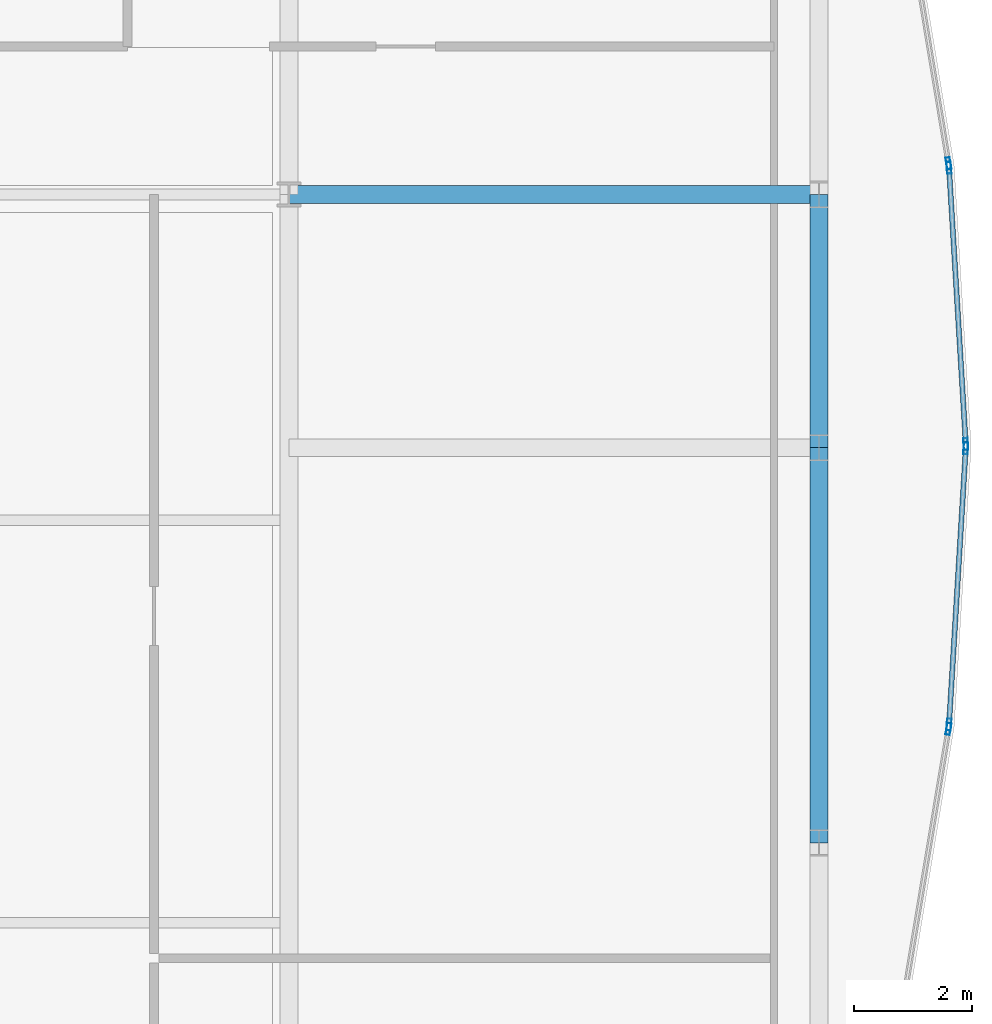
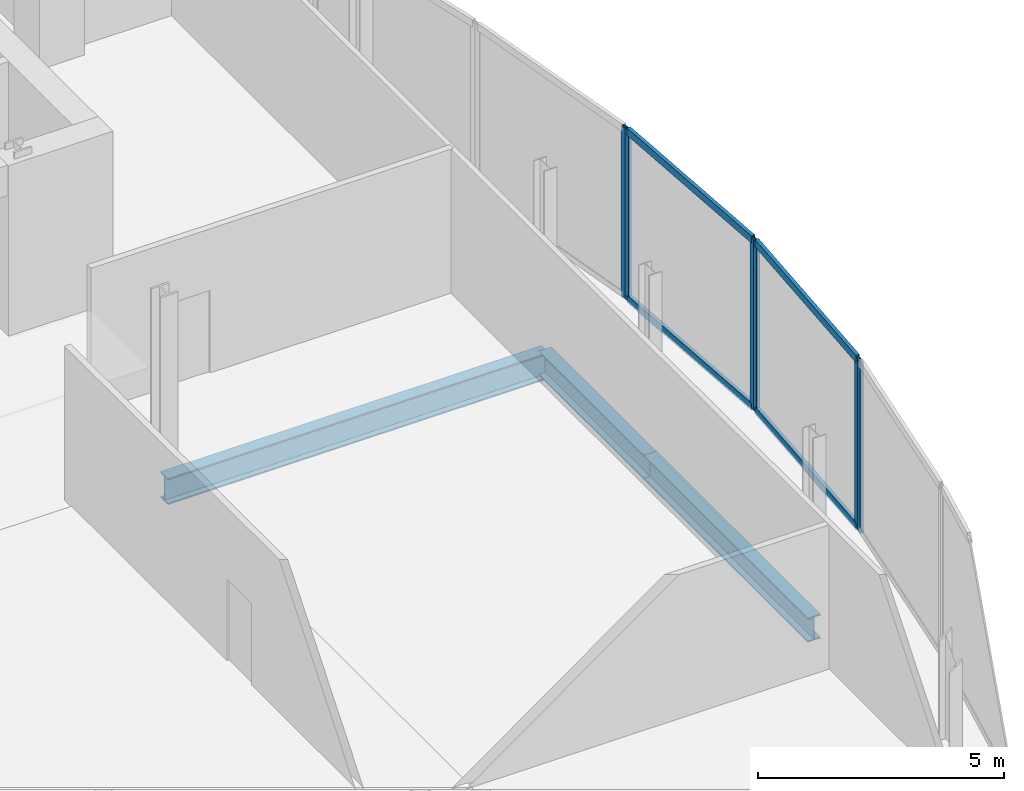
# One storey, part 18 of 28: 10 members, 3 beams, 4 elements without a shape of their own.
"""IFC4 building model written with IfcOpenShell, lengths in metres."""

from ifc_helpers import new_model, si_unit, direction, frame, origin, origin_2d, place, context, subcontext, project, spatial, hollow_rectangle, i_section, extrude, material, material_profile, profile_set, type_object, element, aggregate, save


model = new_model("IFC4")

# Units and contexts
model_context = context("Model", 3, precision=1e-05, world=origin(), true_north=direction((0.0, 1.0)))
body_context = subcontext(model_context, "Body", "Model", "MODEL_VIEW")
ifc_project = project(units=[si_unit("LENGTHUNIT", "METRE"), si_unit("AREAUNIT", "SQUARE_METRE"), si_unit("VOLUMEUNIT", "CUBIC_METRE"), si_unit("PLANEANGLEUNIT", "RADIAN"), si_unit("MASSUNIT", "GRAM", prefix="KILO")], contexts=[model_context])

# Site, building, storey
site_placement = place(None, origin())
site = spatial("IfcSite", under=ifc_project, at=site_placement, CompositionType="ELEMENT")
building_placement = place(site_placement, origin())
building = spatial("IfcBuilding", under=site, at=building_placement, Name="Khoronbel Lancet Exchange", CompositionType="ELEMENT")
storey_placement = place(building_placement, frame((0.0, 0.0, 265.39990234375)))
storey = spatial("IfcBuildingStorey", under=building, at=storey_placement, Name="L68", CompositionType="ELEMENT", Elevation=265.39990234375)

# Beams
ifc_material_1 = material(Name="Steel S355", Category="steel")
ifc_material_profile_1 = material_profile(ifc_material_1, i_section(OverallWidth=0.300048828125, OverallDepth=0.64990234375, WebThickness=0.01611328125, FlangeThickness=0.031005859375, at=origin_2d()), Name="HEB 650")
ifc_profile_set_1 = profile_set([ifc_material_profile_1], Name="Steel S355")
beam_type_1 = type_object("IfcBeamType", Name="BM-BG4", PredefinedType="BEAM", material=ifc_profile_set_1)
beam_1_placement = place(storey_placement, frame((54.675048828125, 35.699951171875, -0.52490234375), z_axis=(1.0, 0.0, 0.0), x_axis=(0.0, 1.0, 0.0)))
element("IfcBeam", 1, at=beam_1_placement, inside=storey, type_object=beam_type_1, Name="Level L68 east lens tie girder LG4E", PredefinedType="BEAM", context=body_context, shape_type="SweptSolid", body=[
    extrude(i_section(OverallWidth=0.300048828125, OverallDepth=0.64990234375, WebThickness=0.01611328125, FlangeThickness=0.031005859375, at=origin_2d()), origin(), (0.0, 0.0, 1.0), 8.954833984375),
])
ifc_material_profile_2 = material_profile(ifc_material_1, i_section(OverallWidth=0.300048828125, OverallDepth=0.60009765625, WebThickness=0.015380859375, FlangeThickness=0.030029296875, at=origin_2d()), Name="HEB 600")
ifc_profile_set_2 = profile_set([ifc_material_profile_2], Name="Steel S355")
beam_type_2 = type_object("IfcBeamType", Name="BM-BSP2", PredefinedType="SPANDREL", material=ifc_profile_set_2)
beam_2_placement = place(storey_placement, frame((63.6298828125, 24.75, -0.5), z_axis=(0.0, 1.0, 0.0), x_axis=(-1.0, 0.0, 0.0)))
element("IfcBeam", 2, at=beam_2_placement, inside=storey, type_object=beam_type_2, Name="Level L68 perimeter spandrel beam SP12", PredefinedType="SPANDREL", context=body_context, shape_type="SweptSolid", body=[
    extrude(i_section(OverallWidth=0.300048828125, OverallDepth=0.60009765625, WebThickness=0.015380859375, FlangeThickness=0.030029296875, at=origin_2d()), origin(), (0.0, 0.0, 1.0), 6.675048828125),
])
beam_3_placement = place(storey_placement, frame((63.6298828125, 31.425048828125, -0.5), z_axis=(0.0, 1.0, 0.0), x_axis=(-1.0, 0.0, 0.0)))
element("IfcBeam", 3, at=beam_3_placement, inside=storey, type_object=beam_type_2, Name="Level L68 perimeter spandrel beam SP13", PredefinedType="SPANDREL", context=body_context, shape_type="SweptSolid", body=[
    extrude(i_section(OverallWidth=0.300048828125, OverallDepth=0.60009765625, WebThickness=0.015380859375, FlangeThickness=0.030029296875, at=origin_2d()), origin(), (0.0, 0.0, 1.0), 4.27490234375),
])

# Curtain wall, member
ifc_material_2 = material(Name="Low-E Solar Control Insulating Glass", Category="glass")
curtain_wall_type = type_object("IfcCurtainWallType", Name="CW-4", PredefinedType="NOTDEFINED", material=ifc_material_2)
curtain_wall_1_placement = place(storey_placement, origin())
curtain_wall_1 = element("IfcCurtainWall", 4, at=curtain_wall_1_placement, inside=storey, type_object=curtain_wall_type, Name="Unitised curtain wall CW-L68-E18", PredefinedType="NOTDEFINED")
ifc_material_3 = material(Name="Bronze-Anodised Aluminium 6063-T6", Category="aluminium")
ifc_material_profile_3 = material_profile(ifc_material_3, hollow_rectangle(XDim=0.074951171875, YDim=0.199951171875, WallThickness=0.0048828125, at=origin_2d()), Name="ALU MULLION 75x200")
ifc_profile_set_3 = profile_set([ifc_material_profile_3], Name="Bronze-Anodised Aluminium 6063-T6")
member_type_1 = type_object("IfcMemberType", Name="MEM-CWM2", PredefinedType="MULLION", material=ifc_profile_set_3)
member_1_placement = place(storey_placement, frame((65.816162109375, 36.226806640625, 0.0), z_axis=(0.0, 0.0, 1.0), x_axis=(0.986550884803, 0.163454433086, 0.0)))
member_1 = element("IfcMember", 5, at=member_1_placement, type_object=member_type_1, Name="CW4 mullion 2", PredefinedType="MULLION", context=body_context, shape_type="SweptSolid", body=[
    extrude(hollow_rectangle(XDim=0.074951171875, YDim=0.199951171875, WallThickness=0.0048828125, at=origin_2d()), origin(), (0.0, 0.0, 1.0), 4.239990234375),
])
aggregate(curtain_wall_1, [member_1])

# Curtain wall, members
curtain_wall_2_placement = place(storey_placement, origin())
curtain_wall_2 = element("IfcCurtainWall", 6, at=curtain_wall_2_placement, inside=storey, type_object=curtain_wall_type, Name="Unitised curtain wall CW-L68-E19", PredefinedType="NOTDEFINED")
member_2_placement = place(storey_placement, frame((65.82470703125, 36.152587890625, 0.0), z_axis=(0.0, 0.0, 1.0), x_axis=(0.998166800745, 0.060523036034, 0.0)))
member_2 = element("IfcMember", 7, at=member_2_placement, type_object=member_type_1, Name="CW4 mullion 1", PredefinedType="MULLION", context=body_context, shape_type="SweptSolid", body=[
    extrude(hollow_rectangle(XDim=0.074951171875, YDim=0.199951171875, WallThickness=0.0048828125, at=origin_2d()), origin(), (0.0, 0.0, 1.0), 4.239990234375),
])
member_3_placement = place(storey_placement, frame((66.107421875, 31.487548828125, 0.0), z_axis=(0.0, 0.0, 1.0), x_axis=(0.998166800745, 0.060523036034, 0.0)))
member_3 = element("IfcMember", 8, at=member_3_placement, type_object=member_type_1, Name="CW4 mullion 2", PredefinedType="MULLION", context=body_context, shape_type="SweptSolid", body=[
    extrude(hollow_rectangle(XDim=0.074951171875, YDim=0.199951171875, WallThickness=0.0048828125, at=origin_2d()), origin(), (0.0, 0.0, 1.0), 4.239990234375),
])

curtain_wall_3_placement = place(storey_placement, origin())
curtain_wall_3 = element("IfcCurtainWall", 9, at=curtain_wall_3_placement, inside=storey, type_object=curtain_wall_type, Name="Unitised curtain wall CW-L68-E20", PredefinedType="NOTDEFINED")
member_4_placement = place(storey_placement, frame((66.107421875, 31.41259765625, 0.0), z_axis=(0.0, 0.0, 1.0), x_axis=(0.998166800745, -0.060523036034, 0.0)))
member_4 = element("IfcMember", 10, at=member_4_placement, type_object=member_type_1, Name="CW4 mullion 1", PredefinedType="MULLION", context=body_context, shape_type="SweptSolid", body=[
    extrude(hollow_rectangle(XDim=0.074951171875, YDim=0.199951171875, WallThickness=0.0048828125, at=origin_2d()), origin(), (0.0, 0.0, 1.0), 4.239990234375),
])
member_5_placement = place(storey_placement, frame((65.82470703125, 26.74755859375, 0.0), z_axis=(0.0, 0.0, 1.0), x_axis=(0.998166800745, -0.060523036034, 0.0)))
member_5 = element("IfcMember", 11, at=member_5_placement, type_object=member_type_1, Name="CW4 mullion 2", PredefinedType="MULLION", context=body_context, shape_type="SweptSolid", body=[
    extrude(hollow_rectangle(XDim=0.074951171875, YDim=0.199951171875, WallThickness=0.0048828125, at=origin_2d()), origin(), (0.0, 0.0, 1.0), 4.239990234375),
])

# Curtain wall, member
curtain_wall_4_placement = place(storey_placement, origin())
curtain_wall_4 = element("IfcCurtainWall", 12, at=curtain_wall_4_placement, inside=storey, type_object=curtain_wall_type, Name="Unitised curtain wall CW-L68-E21", PredefinedType="NOTDEFINED")
member_6_placement = place(storey_placement, frame((65.816162109375, 26.673095703125, 0.0), z_axis=(0.0, 0.0, 1.0), x_axis=(0.986550884803, -0.163454433086, 0.0)))
member_6 = element("IfcMember", 13, at=member_6_placement, type_object=member_type_1, Name="CW4 mullion 1", PredefinedType="MULLION", context=body_context, shape_type="SweptSolid", body=[
    extrude(hollow_rectangle(XDim=0.074951171875, YDim=0.199951171875, WallThickness=0.0048828125, at=origin_2d()), origin(), (0.0, 0.0, 1.0), 4.239990234375),
])
aggregate(curtain_wall_4, [member_6])

# Member
ifc_material_profile_4 = material_profile(ifc_material_3, hollow_rectangle(XDim=0.0849609375, YDim=0.179931640625, WallThickness=0.0048828125, at=origin_2d()), Name="ALU TRANSOM 85x180")
ifc_profile_set_4 = profile_set([ifc_material_profile_4], Name="Bronze-Anodised Aluminium 6063-T6")
member_type_2 = type_object("IfcMemberType", Name="MEM-CWT1", PredefinedType="USERDEFINED", material=ifc_profile_set_4)
member_7_placement = place(storey_placement, frame((65.826904296875, 36.114990234375, 0.04248046875), z_axis=(0.060523913208, -0.998166747558, 0.0), x_axis=(0.998166747558, 0.060523913208, 0.0)))
member_7 = element("IfcMember", 14, at=member_7_placement, type_object=member_type_2, Name="CW4 transom 1.1", ObjectType="TRANSOM", PredefinedType="USERDEFINED", context=body_context, shape_type="SweptSolid", body=[
    extrude(hollow_rectangle(XDim=0.0849609375, YDim=0.179931640625, WallThickness=0.0048828125, at=origin_2d()), origin(), (0.0, 0.0, 1.0), 4.5986328125),
])

member_8_placement = place(storey_placement, frame((65.826904296875, 36.114990234375, 4.197509765625), z_axis=(0.060523913208, -0.998166747558, 0.0), x_axis=(0.998166747558, 0.060523913208, 0.0)))
member_8 = element("IfcMember", 15, at=member_8_placement, type_object=member_type_2, Name="CW4 transom 1.2", ObjectType="TRANSOM", PredefinedType="USERDEFINED", context=body_context, shape_type="SweptSolid", body=[
    extrude(hollow_rectangle(XDim=0.0849609375, YDim=0.179931640625, WallThickness=0.0048828125, at=origin_2d()), origin(), (0.0, 0.0, 1.0), 4.5986328125),
])

aggregate(curtain_wall_2, [member_2, member_3, member_7, member_8])

member_9_placement = place(storey_placement, frame((66.105224609375, 31.375244140625, 0.04248046875), z_axis=(-0.060520705984, -0.998166942023, 0.0), x_axis=(0.998166942023, -0.060520705984, 0.0)))
member_9 = element("IfcMember", 16, at=member_9_placement, type_object=member_type_2, Name="CW4 transom 1.1", ObjectType="TRANSOM", PredefinedType="USERDEFINED", context=body_context, shape_type="SweptSolid", body=[
    extrude(hollow_rectangle(XDim=0.0849609375, YDim=0.179931640625, WallThickness=0.0048828125, at=origin_2d()), origin(), (0.0, 0.0, 1.0), 4.598876953125),
])

member_10_placement = place(storey_placement, frame((66.105224609375, 31.375244140625, 4.197509765625), z_axis=(-0.060520705984, -0.998166942023, 0.0), x_axis=(0.998166942023, -0.060520705984, 0.0)))
member_10 = element("IfcMember", 17, at=member_10_placement, type_object=member_type_2, Name="CW4 transom 1.2", ObjectType="TRANSOM", PredefinedType="USERDEFINED", context=body_context, shape_type="SweptSolid", body=[
    extrude(hollow_rectangle(XDim=0.0849609375, YDim=0.179931640625, WallThickness=0.0048828125, at=origin_2d()), origin(), (0.0, 0.0, 1.0), 4.598876953125),
])

aggregate(curtain_wall_3, [member_4, member_5, member_9, member_10])

save(model, "model.ifc")
